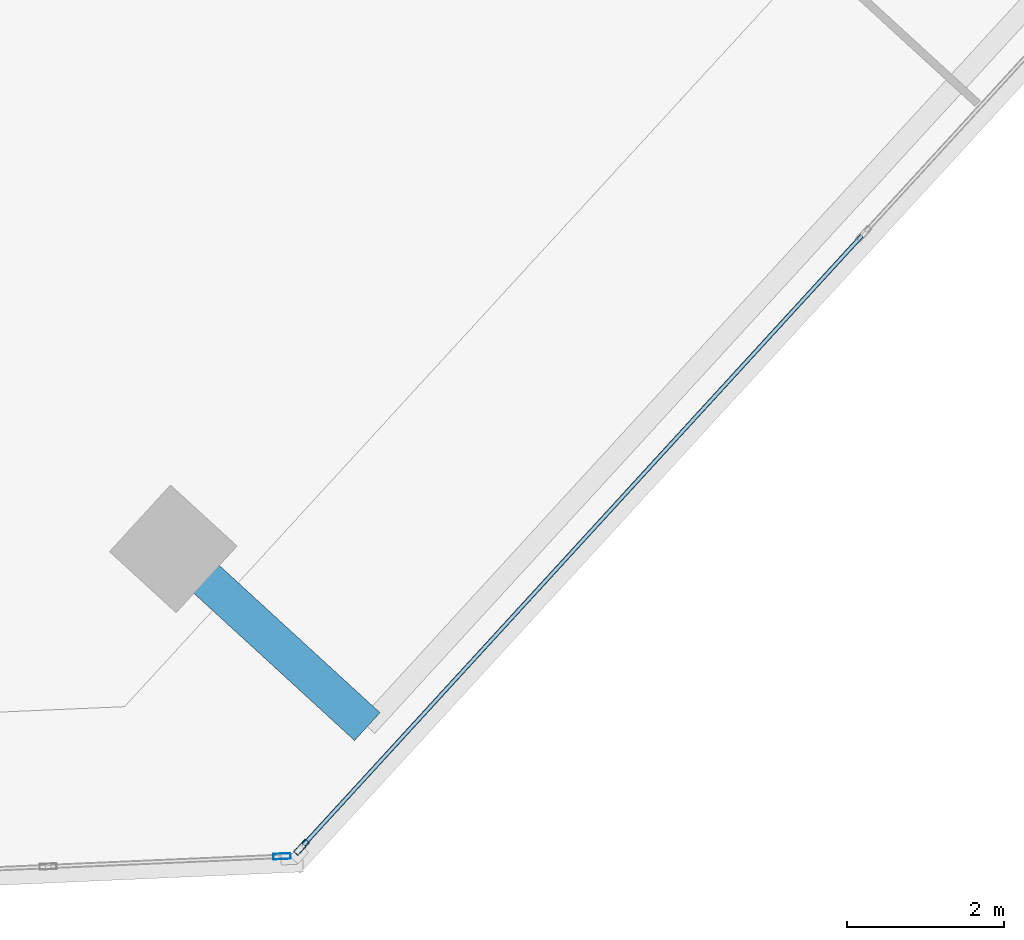
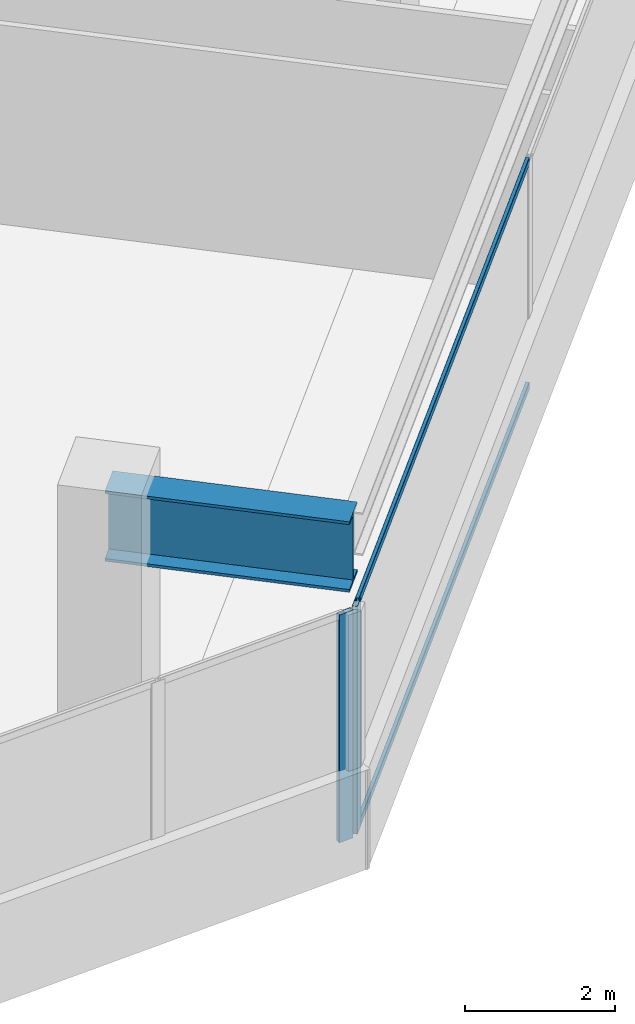
# One storey, part 6 of 18: 4 members, 1 beam, 2 elements without a shape of their own.
"""IFC4 building model written with IfcOpenShell, lengths in metres."""

from ifc_helpers import new_model, si_unit, direction, frame, origin, origin_2d, place, context, subcontext, project, spatial, hollow_rectangle, i_section, extrude, source, transform, mapped, material, material_profile, profile_set, type_object, element, aggregate, save


model = new_model("IFC4")

# Units and contexts
model_context = context("Model", 3, precision=1e-05, world=origin(), true_north=direction((0.0, 1.0)))
body_context = subcontext(model_context, "Body", "Model", "MODEL_VIEW")
ifc_project = project(units=[si_unit("LENGTHUNIT", "METRE"), si_unit("AREAUNIT", "SQUARE_METRE"), si_unit("VOLUMEUNIT", "CUBIC_METRE"), si_unit("PLANEANGLEUNIT", "RADIAN"), si_unit("MASSUNIT", "GRAM", prefix="KILO")], contexts=[model_context])

# Site, building, storey
site_placement = place(None, origin())
site = spatial("IfcSite", under=ifc_project, at=site_placement, CompositionType="ELEMENT")
building_placement = place(site_placement, origin())
building = spatial("IfcBuilding", under=site, at=building_placement, Name="Torre Montelarca", CompositionType="ELEMENT")
storey_placement = place(building_placement, frame((0.0, 0.0, 233.199951171875)))
storey = spatial("IfcBuildingStorey", under=building, at=storey_placement, Name="L52", CompositionType="ELEMENT", Elevation=233.199951171875)

# Beam
ifc_material_1 = material(Name="Steel ASTM A572 Grade 50", Category="steel")
ifc_material_profile_1 = material_profile(ifc_material_1, i_section(OverallWidth=0.47998046875, OverallDepth=1.14990234375, WebThickness=0.02197265625, FlangeThickness=0.044921875, at=origin_2d()), Name="PG1150X480X22X45", Category="steel")
ifc_profile_set_1 = profile_set([ifc_material_profile_1], Name="Steel ASTM A572 Grade 50")
beam_type = type_object("IfcBeamType", Name="BM-CG-PG1400-EXT", PredefinedType="USERDEFINED", material=ifc_profile_set_1)
shared_shape_1 = source(origin(), body_context, "Body", "SweptSolid", [
    extrude(i_section(OverallWidth=0.47998046875, OverallDepth=1.14990234375, WebThickness=0.02197265625, FlangeThickness=0.044921875, at=origin_2d()), origin(), (0.0, 0.0, 1.0), 3.349853515625),
])
beam_placement = place(storey_placement, frame((31.20947265625, 12.252197265625, 3.385009765625), z_axis=(0.737263039421, -0.675605810146, 0.0), x_axis=(0.675605810146, 0.737263039421, 0.0)))
element("IfcBeam", 1, at=beam_placement, inside=storey, type_object=beam_type, Name="L52 Sliding Tray Cantilever Girder East Y=24m (FLR)", ObjectType="CANTILEVER GIRDER", PredefinedType="USERDEFINED", context=body_context, shape_type="MappedRepresentation", body=[
    mapped(shared_shape_1, transform((0.0, 0.0, 0.0), scale=1.0)),
])

# Curtain wall, member
ifc_material_2 = material(Name="Insulated low-E laminated glass", Category="glass")
curtain_wall_type = type_object("IfcCurtainWallType", Name="CW-SYS-Z3", PredefinedType="USERDEFINED", material=ifc_material_2)
curtain_wall_1_placement = place(storey_placement, origin())
curtain_wall_1 = element("IfcCurtainWall", 2, at=curtain_wall_1_placement, inside=storey, type_object=curtain_wall_type, Name="L52 Curtain Wall Run CW-T3-L52-E05-B1", ObjectType="UNITISED GLAZING", PredefinedType="USERDEFINED")
ifc_material_3 = material(Name="Anodised aluminium AA 6063-T6", Category="aluminium")
ifc_material_profile_2 = material_profile(ifc_material_3, hollow_rectangle(XDim=0.074951171875, YDim=0.219970703125, WallThickness=0.0048828125, InnerFilletRadius=0.0048828125, OuterFilletRadius=0.010009765625, at=origin_2d()), Name="ALU75X220X5", Category="aluminium")
ifc_profile_set_2 = profile_set([ifc_material_profile_2], Name="Anodised aluminium AA 6063-T6")
member_type_1 = type_object("IfcMemberType", Name="CWM-ALU220", PredefinedType="MULLION", material=ifc_profile_set_2)
shared_shape_2 = source(origin(), body_context, "Body", "SweptSolid", [
    extrude(hollow_rectangle(XDim=0.074951171875, YDim=0.219970703125, WallThickness=0.0048828125, InnerFilletRadius=0.0048828125, OuterFilletRadius=0.010009765625, at=origin_2d()), origin(), (0.0, 0.0, 1.0), 3.719970703125),
])
member_1_placement = place(storey_placement, frame((32.59228515625, 8.337646484375, 0.0), z_axis=(0.0, 0.0, 1.0), x_axis=(-0.043615635968, 0.999048385364, 0.0)))
member_1 = element("IfcMember", 3, at=member_1_placement, type_object=member_type_1, Name="CW mullion 3", PredefinedType="MULLION", context=body_context, shape_type="MappedRepresentation", body=[
    mapped(shared_shape_2, transform((0.0, 0.0, 0.0), scale=1.0)),
])
aggregate(curtain_wall_1, [member_1])

# Curtain wall, members
curtain_wall_2_placement = place(storey_placement, origin())
curtain_wall_2 = element("IfcCurtainWall", 4, at=curtain_wall_2_placement, inside=storey, type_object=curtain_wall_type, Name="L52 Curtain Wall Run CW-T3-L52-E06-B1", ObjectType="UNITISED GLAZING", PredefinedType="USERDEFINED")
member_2_placement = place(storey_placement, frame((32.8427734375, 8.454345703125, 0.0), z_axis=(0.0, 0.0, 1.0), x_axis=(-0.737277670314, 0.675589843659, 0.0)))
member_2 = element("IfcMember", 5, at=member_2_placement, type_object=member_type_1, Name="CW mullion 1", PredefinedType="MULLION", context=body_context, shape_type="MappedRepresentation", body=[
    mapped(shared_shape_2, transform((0.0, 0.0, 0.0), scale=1.0)),
])
ifc_material_profile_3 = material_profile(ifc_material_3, hollow_rectangle(XDim=0.054931640625, YDim=0.1201171875, WallThickness=0.00341796875, InnerFilletRadius=0.00341796875, OuterFilletRadius=0.007080078125, at=origin_2d()), Name="ALU55X120X3.5", Category="aluminium")
ifc_profile_set_3 = profile_set([ifc_material_profile_3], Name="Anodised aluminium AA 6063-T6")
member_type_2 = type_object("IfcMemberType", Name="CWT-ALU120", PredefinedType="USERDEFINED", material=ifc_profile_set_3)
shared_shape_3 = source(origin(), body_context, "Body", "SweptSolid", [
    extrude(hollow_rectangle(XDim=0.054931640625, YDim=0.1201171875, WallThickness=0.00341796875, InnerFilletRadius=0.00341796875, OuterFilletRadius=0.007080078125, at=origin_2d()), origin(), (0.0, 0.0, 1.0), 10.521484375),
])
member_3_placement = place(storey_placement, frame((32.8681640625, 8.48193359375, 0.027587890625), z_axis=(0.675583816205, 0.737283193408, 0.0), x_axis=(-0.737283193408, 0.675583816205, 0.0)))
member_3 = element("IfcMember", 6, at=member_3_placement, type_object=member_type_2, Name="CW transom 1.1", ObjectType="TRANSOM", PredefinedType="USERDEFINED", context=body_context, shape_type="MappedRepresentation", body=[
    mapped(shared_shape_3, transform((0.0, 0.0, 0.0), scale=1.0)),
])
member_4_placement = place(storey_placement, frame((32.8681640625, 8.48193359375, 3.692626953125), z_axis=(0.675583816205, 0.737283193408, 0.0), x_axis=(-0.737283193408, 0.675583816205, 0.0)))
member_4 = element("IfcMember", 7, at=member_4_placement, type_object=member_type_2, Name="CW transom 1.2", ObjectType="TRANSOM", PredefinedType="USERDEFINED", context=body_context, shape_type="MappedRepresentation", body=[
    mapped(shared_shape_3, transform((0.0, 0.0, 0.0), scale=1.0)),
])
aggregate(curtain_wall_2, [member_2, member_3, member_4])

save(model, "model.ifc")
